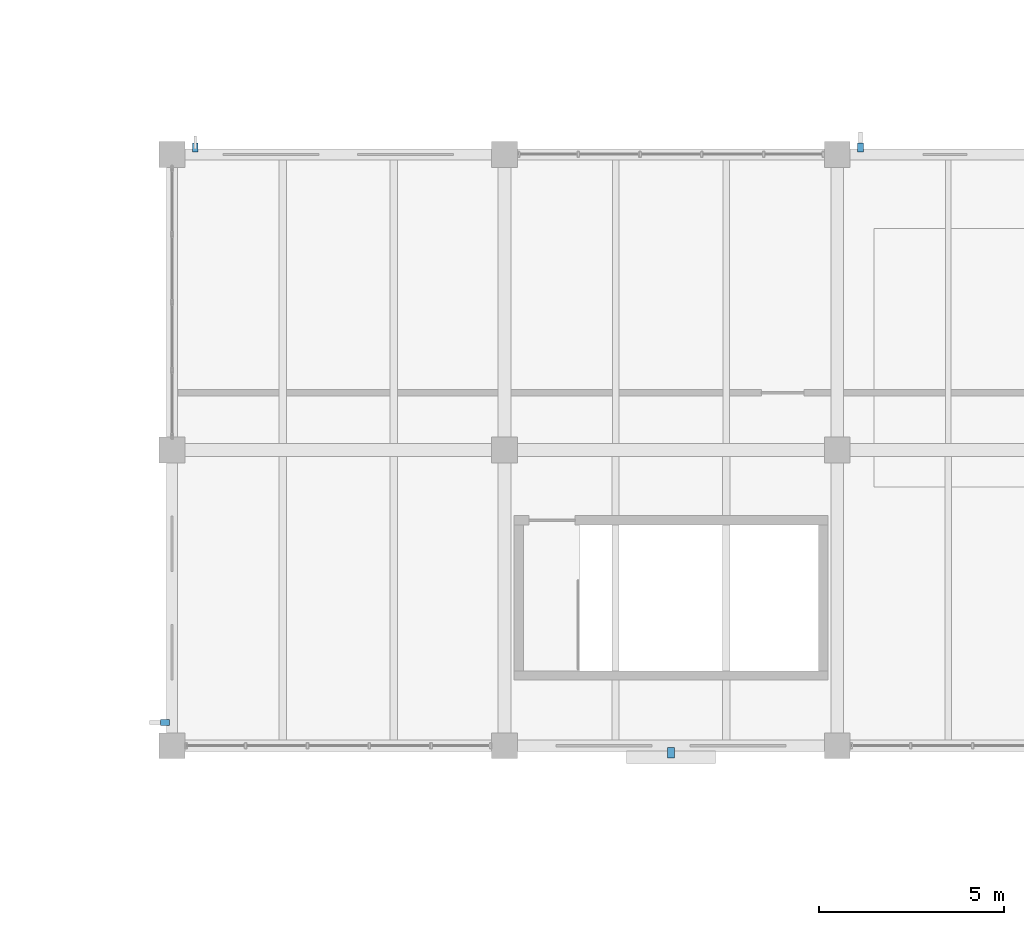
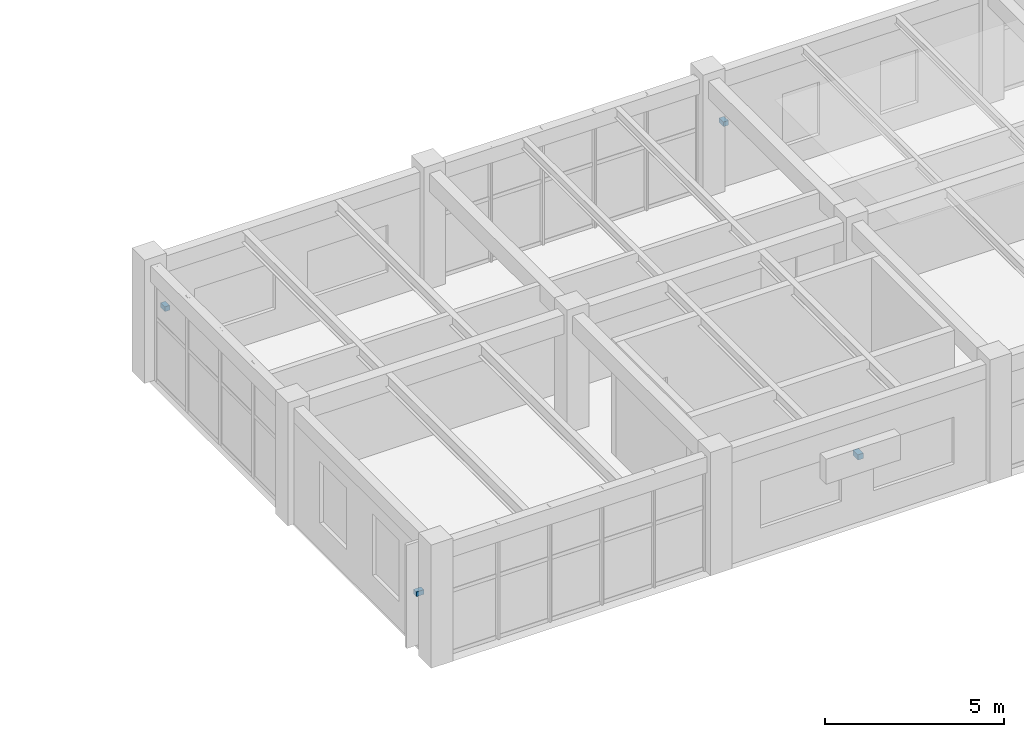
# One storey, part 116 of 128: 4 discrete accessories.
"""IFC4 building model written with IfcOpenShell, lengths in metres."""

from ifc_helpers import new_model, si_unit, derived_unit, direction, frame, origin, origin_2d, place, context, subcontext, project, spatial, rectangle, extrude, material, type_object, element, save


model = new_model("IFC4")

# Units and contexts
model_context = context("Model", 3, precision=1e-05, world=origin(), true_north=direction((0.0, 1.0)))
body_context = subcontext(model_context, "Body", "Model", "MODEL_VIEW")
ifc_project = project(units=[si_unit("LENGTHUNIT", "METRE"), si_unit("AREAUNIT", "SQUARE_METRE"), si_unit("VOLUMEUNIT", "CUBIC_METRE"), si_unit("PLANEANGLEUNIT", "RADIAN"), si_unit("MASSUNIT", "GRAM", prefix="KILO"), derived_unit("THERMALTRANSMITTANCEUNIT", [(si_unit("MASSUNIT", "GRAM", prefix="KILO"), 1), (si_unit("TIMEUNIT", "SECOND"), -3), (si_unit("THERMODYNAMICTEMPERATUREUNIT", "KELVIN"), -1)])], contexts=[model_context])

# Site, building, storey
site_placement = place(None, origin())
site = spatial("IfcSite", under=ifc_project, at=site_placement, CompositionType="ELEMENT")
building_placement = place(site_placement, origin())
building = spatial("IfcBuilding", under=site, at=building_placement, Name="Zhenchuan Archway Interchange", CompositionType="ELEMENT")
storey_placement = place(building_placement, frame((0.0, 0.0, 14.39990234375)))
storey = spatial("IfcBuildingStorey", under=building, at=storey_placement, Name="L03", CompositionType="ELEMENT", Elevation=14.39990234375)

# Discrete accessories
ifc_material = material(Name="Stainless Steel 316", Category="steel")
discrete_accessory_type_1 = type_object("IfcDiscreteAccessoryType", Name="BRK_SHD_1", PredefinedType="BRACKET", material=ifc_material)
for number, where, z_axis, x_axis, name in (
    (1, (108.6279296875, 24.18994140625, 1.88037109375), (0.0, 0.0, 1.0), (1.0, 0.0, 0.0), "Solar fin stainless fixing bracket L03-103"),
    (2, (126.6279296875, 24.18994140625, 1.88037109375), (0.0, 0.0, 1.0), (1.0, 0.0, 0.0), "Solar fin stainless fixing bracket L03-104"),
    (3, (107.81005859375, 8.6279296875, 1.88037109375), (0.0, 0.0, 1.0), (0.0, 1.0, 0.0), "Solar fin stainless fixing bracket L03-125"),
):
    element("IfcDiscreteAccessory", number, at=place(storey_placement, frame(where, z_axis=z_axis, x_axis=x_axis)), inside=storey, type_object=discrete_accessory_type_1, Name=name, PredefinedType="BRACKET", context=body_context, shape_type="SweptSolid", body=[
        extrude(rectangle(XDim=0.159912109375, YDim=0.239990234375, at=origin_2d()), origin(), (0.0, 0.0, 1.0), 0.159912109375),
    ])
discrete_accessory_type_2 = type_object("IfcDiscreteAccessoryType", Name="BRK_SHD_2", PredefinedType="BRACKET", material=ifc_material)
discrete_accessory_placement = place(storey_placement, frame((121.5, 7.81005859375, 2.26025390625), z_axis=(0.0, 0.0, 1.0), x_axis=(-1.0, 0.0, 0.0)))
element("IfcDiscreteAccessory", 4, at=discrete_accessory_placement, inside=storey, type_object=discrete_accessory_type_2, Name="Storm-louvre stainless fixing bracket L03-124", PredefinedType="BRACKET", context=body_context, shape_type="SweptSolid", body=[
    extrude(rectangle(XDim=0.179931640625, YDim=0.280029296875, at=origin_2d()), origin(), (0.0, 0.0, 1.0), 0.179931640625),
])

save(model, "model.ifc")
